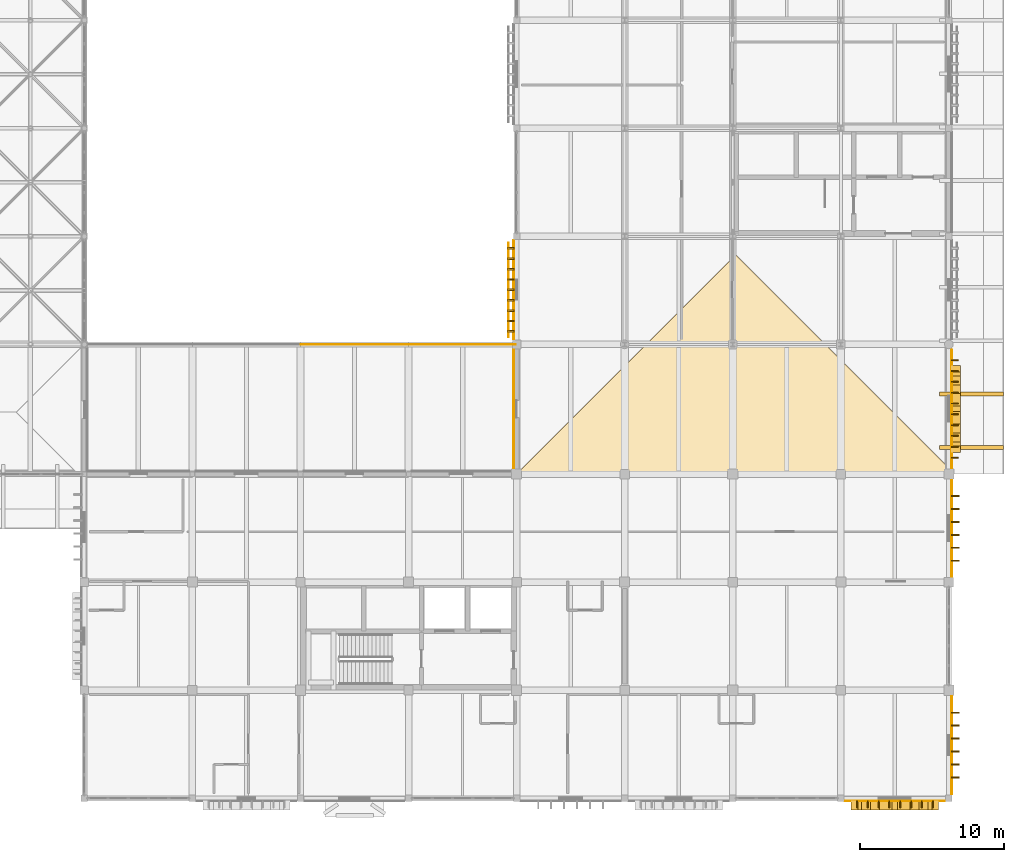
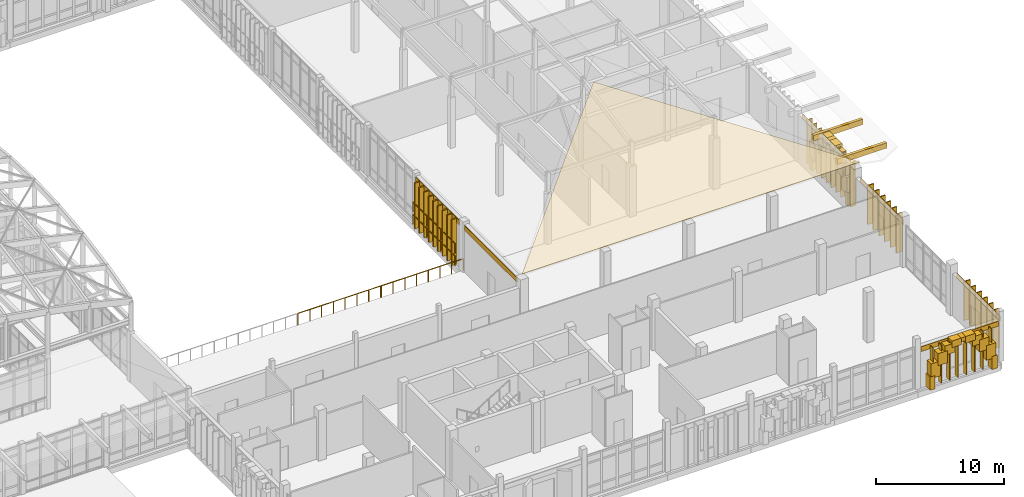
# One storey, part 128 of 131: 52 coverings, 18 shading devices, 4 railings.
"""IFC4 building model written with IfcOpenShell, lengths in metres."""

from ifc_helpers import new_model, si_unit, direction, frame, origin, origin_2d, place, context, subcontext, project, spatial, polyline, rectangle, circle, outline, extrude, material, layer, layer_set, type_object, element, save


model = new_model("IFC4")

# Units and contexts
model_context = context("Model", 3, precision=1e-05, world=origin(), true_north=direction((0.0, 1.0)))
body_context = subcontext(model_context, "Body", "Model", "MODEL_VIEW")
ifc_project = project(units=[si_unit("LENGTHUNIT", "METRE"), si_unit("AREAUNIT", "SQUARE_METRE"), si_unit("VOLUMEUNIT", "CUBIC_METRE"), si_unit("PLANEANGLEUNIT", "RADIAN"), si_unit("MASSUNIT", "GRAM", prefix="KILO")], contexts=[model_context])

# Site, building, storey
site_placement = place(None, origin())
site = spatial("IfcSite", under=ifc_project, at=site_placement, CompositionType="ELEMENT")
building_placement = place(site_placement, origin())
building = spatial("IfcBuilding", under=site, at=building_placement, Name="Dalvernix Boulevard General Hospital", CompositionType="ELEMENT")
storey_placement = place(building_placement, frame((0.0, 0.0, 9.300048828125)))
storey = spatial("IfcBuildingStorey", under=building, at=storey_placement, Name="L02", CompositionType="ELEMENT", Elevation=9.300048828125)

# Coverings
ifc_material_1 = material(Name="Pressed Catalan clay brick and dressed limestone parabolic archivolt", Category="masonry")
ifc_layer_1 = layer(ifc_material_1, 0.419921875)
ifc_layer_set_1 = layer_set([ifc_layer_1], Name="Pressed Catalan clay brick and dressed limestone parabolic archivolt (COV-ARC-01)")
covering_type_1 = type_object("IfcCoveringType", Name="COV-ARC-01", PredefinedType="CLADDING", material=ifc_layer_set_1)
for number, where, z_axis, x_axis, name in (
    (1, (171.550048828125, -0.485107421875, 0.0), (0.0, 0.0, 1.0), (-1.0, 0.0, 0.0), "L02 Catalan parabolic arch impost pier S 22-0-L"),
    (2, (165.949951171875, -0.485107421875, 0.0), (0.0, 0.0, 1.0), (-1.0, 0.0, 0.0), "L02 Catalan parabolic arch impost pier S 22-0-R"),
):
    element("IfcCovering", number, at=place(storey_placement, frame(where, z_axis=z_axis, x_axis=x_axis)), inside=storey, type_object=covering_type_1, Name=name, PredefinedType="CLADDING", context=body_context, shape_type="SweptSolid", body=[
        extrude(rectangle(XDim=0.4599609375, YDim=0.659912109375, at=origin_2d()), origin(), (0.0, 0.0, 1.0), 1.25),
    ])
covering_1_placement = place(storey_placement, frame((171.239013671875, -0.485107421875, 1.059814453125), z_axis=(0.0, 0.0, 1.0), x_axis=(-1.0, 0.0, 0.0)))
element("IfcCovering", 3, at=covering_1_placement, inside=storey, type_object=covering_type_1, Name="L02 Catalan parabolic archivolt voussoir S 22-0-1", PredefinedType="CLADDING", context=body_context, shape_type="SweptSolid", body=[
    extrude(rectangle(XDim=0.8623046875, YDim=0.659912109375, at=origin_2d()), origin(), (0.0, 0.0, 1.0), 1.3994140625),
])
covering_2_placement = place(storey_placement, frame((170.61669921875, -0.485107421875, 2.0791015625), z_axis=(0.0, 0.0, 1.0), x_axis=(-1.0, 0.0, 0.0)))
element("IfcCovering", 4, at=covering_2_placement, inside=storey, type_object=covering_type_1, Name="L02 Catalan parabolic archivolt voussoir S 22-0-2", PredefinedType="CLADDING", context=body_context, shape_type="SweptSolid", body=[
    extrude(rectangle(XDim=0.8623046875, YDim=0.659912109375, at=origin_2d()), origin(), (0.0, 0.0, 1.0), 1.144287109375),
])
covering_3_placement = place(storey_placement, frame((169.994384765625, -0.485107421875, 2.843505859375), z_axis=(0.0, 0.0, 1.0), x_axis=(-1.0, 0.0, 0.0)))
element("IfcCovering", 5, at=covering_3_placement, inside=storey, type_object=covering_type_1, Name="L02 Catalan parabolic archivolt voussoir S 22-0-3", PredefinedType="CLADDING", context=body_context, shape_type="SweptSolid", body=[
    extrude(rectangle(XDim=0.8623046875, YDim=0.659912109375, at=origin_2d()), origin(), (0.0, 0.0, 1.0), 0.8896484375),
])
covering_4_placement = place(storey_placement, frame((169.372314453125, -0.485107421875, 3.353271484375), z_axis=(0.0, 0.0, 1.0), x_axis=(-1.0, 0.0, 0.0)))
element("IfcCovering", 6, at=covering_4_placement, inside=storey, type_object=covering_type_1, Name="L02 Catalan parabolic archivolt voussoir S 22-0-4", PredefinedType="CLADDING", context=body_context, shape_type="SweptSolid", body=[
    extrude(rectangle(XDim=0.8623046875, YDim=0.659912109375, at=origin_2d()), origin(), (0.0, 0.0, 1.0), 0.634765625),
])
covering_5_placement = place(storey_placement, frame((168.75, -0.485107421875, 3.608154296875), z_axis=(0.0, 0.0, 1.0), x_axis=(-1.0, 0.0, 0.0)))
element("IfcCovering", 7, at=covering_5_placement, inside=storey, type_object=covering_type_1, Name="L02 Catalan parabolic archivolt voussoir S 22-0-5", PredefinedType="CLADDING", context=body_context, shape_type="SweptSolid", body=[
    extrude(rectangle(XDim=0.8623046875, YDim=0.659912109375, at=origin_2d()), origin(), (0.0, 0.0, 1.0), 0.3798828125),
])
covering_6_placement = place(storey_placement, frame((168.127685546875, -0.485107421875, 3.353271484375), z_axis=(0.0, 0.0, 1.0), x_axis=(-1.0, 0.0, 0.0)))
element("IfcCovering", 8, at=covering_6_placement, inside=storey, type_object=covering_type_1, Name="L02 Catalan parabolic archivolt voussoir S 22-0-6", PredefinedType="CLADDING", context=body_context, shape_type="SweptSolid", body=[
    extrude(rectangle(XDim=0.8623046875, YDim=0.659912109375, at=origin_2d()), origin(), (0.0, 0.0, 1.0), 0.634765625),
])
covering_7_placement = place(storey_placement, frame((167.505615234375, -0.485107421875, 2.843505859375), z_axis=(0.0, 0.0, 1.0), x_axis=(-1.0, 0.0, 0.0)))
element("IfcCovering", 9, at=covering_7_placement, inside=storey, type_object=covering_type_1, Name="L02 Catalan parabolic archivolt voussoir S 22-0-7", PredefinedType="CLADDING", context=body_context, shape_type="SweptSolid", body=[
    extrude(rectangle(XDim=0.8623046875, YDim=0.659912109375, at=origin_2d()), origin(), (0.0, 0.0, 1.0), 0.8896484375),
])
covering_8_placement = place(storey_placement, frame((166.88330078125, -0.485107421875, 2.0791015625), z_axis=(0.0, 0.0, 1.0), x_axis=(-1.0, 0.0, 0.0)))
element("IfcCovering", 10, at=covering_8_placement, inside=storey, type_object=covering_type_1, Name="L02 Catalan parabolic archivolt voussoir S 22-0-8", PredefinedType="CLADDING", context=body_context, shape_type="SweptSolid", body=[
    extrude(rectangle(XDim=0.8623046875, YDim=0.659912109375, at=origin_2d()), origin(), (0.0, 0.0, 1.0), 1.144287109375),
])
covering_9_placement = place(storey_placement, frame((166.260986328125, -0.485107421875, 1.059814453125), z_axis=(0.0, 0.0, 1.0), x_axis=(-1.0, 0.0, 0.0)))
element("IfcCovering", 11, at=covering_9_placement, inside=storey, type_object=covering_type_1, Name="L02 Catalan parabolic archivolt voussoir S 22-0-9", PredefinedType="CLADDING", context=body_context, shape_type="SweptSolid", body=[
    extrude(rectangle(XDim=0.8623046875, YDim=0.659912109375, at=origin_2d()), origin(), (0.0, 0.0, 1.0), 1.3994140625),
])
for number, where, z_axis, x_axis, name in (
    (12, (172.985107421875, 29.824951171875, 0.0), (0.0, 0.0, 1.0), (0.0, -1.0, 0.0), "L02 Catalan parabolic arch impost pier E 23-3-L"),
    (13, (172.985107421875, 24.22509765625, 0.0), (0.0, 0.0, 1.0), (0.0, -1.0, 0.0), "L02 Catalan parabolic arch impost pier E 23-3-R"),
):
    element("IfcCovering", number, at=place(storey_placement, frame(where, z_axis=z_axis, x_axis=x_axis)), inside=storey, type_object=covering_type_1, Name=name, PredefinedType="CLADDING", context=body_context, shape_type="SweptSolid", body=[
        extrude(rectangle(XDim=0.4599609375, YDim=0.659912109375, at=origin_2d()), origin(), (0.0, 0.0, 1.0), 1.25),
    ])
covering_10_placement = place(storey_placement, frame((172.985107421875, 29.513916015625, 1.059814453125), z_axis=(0.0, 0.0, 1.0), x_axis=(0.0, -1.0, 0.0)))
element("IfcCovering", 14, at=covering_10_placement, inside=storey, type_object=covering_type_1, Name="L02 Catalan parabolic archivolt voussoir E 23-3-1", PredefinedType="CLADDING", context=body_context, shape_type="SweptSolid", body=[
    extrude(rectangle(XDim=0.8623046875, YDim=0.659912109375, at=origin_2d()), origin(), (0.0, 0.0, 1.0), 1.63623046875),
])
covering_11_placement = place(storey_placement, frame((172.985107421875, 28.8916015625, 2.316162109375), z_axis=(0.0, 0.0, 1.0), x_axis=(0.0, -1.0, 0.0)))
element("IfcCovering", 15, at=covering_11_placement, inside=storey, type_object=covering_type_1, Name="L02 Catalan parabolic archivolt voussoir E 23-3-2", PredefinedType="CLADDING", context=body_context, shape_type="SweptSolid", body=[
    extrude(rectangle(XDim=0.8623046875, YDim=0.659912109375, at=origin_2d()), origin(), (0.0, 0.0, 1.0), 1.322265625),
])
covering_12_placement = place(storey_placement, frame((172.985107421875, 28.269287109375, 3.25830078125), z_axis=(0.0, 0.0, 1.0), x_axis=(0.0, -1.0, 0.0)))
element("IfcCovering", 16, at=covering_12_placement, inside=storey, type_object=covering_type_1, Name="L02 Catalan parabolic archivolt voussoir E 23-3-3", PredefinedType="CLADDING", context=body_context, shape_type="SweptSolid", body=[
    extrude(rectangle(XDim=0.8623046875, YDim=0.659912109375, at=origin_2d()), origin(), (0.0, 0.0, 1.0), 1.008056640625),
])
covering_13_placement = place(storey_placement, frame((172.985107421875, 27.647216796875, 3.88671875), z_axis=(0.0, 0.0, 1.0), x_axis=(0.0, -1.0, 0.0)))
element("IfcCovering", 17, at=covering_13_placement, inside=storey, type_object=covering_type_1, Name="L02 Catalan parabolic archivolt voussoir E 23-3-4", PredefinedType="CLADDING", context=body_context, shape_type="SweptSolid", body=[
    extrude(rectangle(XDim=0.8623046875, YDim=0.659912109375, at=origin_2d()), origin(), (0.0, 0.0, 1.0), 0.694091796875),
])
covering_14_placement = place(storey_placement, frame((172.985107421875, 27.02490234375, 4.20068359375), z_axis=(0.0, 0.0, 1.0), x_axis=(0.0, -1.0, 0.0)))
element("IfcCovering", 18, at=covering_14_placement, inside=storey, type_object=covering_type_1, Name="L02 Catalan parabolic archivolt voussoir E 23-3-5", PredefinedType="CLADDING", context=body_context, shape_type="SweptSolid", body=[
    extrude(rectangle(XDim=0.8623046875, YDim=0.659912109375, at=origin_2d()), origin(), (0.0, 0.0, 1.0), 0.3798828125),
])
covering_15_placement = place(storey_placement, frame((172.985107421875, 26.40283203125, 3.88671875), z_axis=(0.0, 0.0, 1.0), x_axis=(0.0, -1.0, 0.0)))
element("IfcCovering", 19, at=covering_15_placement, inside=storey, type_object=covering_type_1, Name="L02 Catalan parabolic archivolt voussoir E 23-3-6", PredefinedType="CLADDING", context=body_context, shape_type="SweptSolid", body=[
    extrude(rectangle(XDim=0.8623046875, YDim=0.659912109375, at=origin_2d()), origin(), (0.0, 0.0, 1.0), 0.694091796875),
])
covering_16_placement = place(storey_placement, frame((172.985107421875, 25.780517578125, 3.25830078125), z_axis=(0.0, 0.0, 1.0), x_axis=(0.0, -1.0, 0.0)))
element("IfcCovering", 20, at=covering_16_placement, inside=storey, type_object=covering_type_1, Name="L02 Catalan parabolic archivolt voussoir E 23-3-7", PredefinedType="CLADDING", context=body_context, shape_type="SweptSolid", body=[
    extrude(rectangle(XDim=0.8623046875, YDim=0.659912109375, at=origin_2d()), origin(), (0.0, 0.0, 1.0), 1.008056640625),
])
covering_17_placement = place(storey_placement, frame((172.985107421875, 25.158203125, 2.316162109375), z_axis=(0.0, 0.0, 1.0), x_axis=(0.0, -1.0, 0.0)))
element("IfcCovering", 21, at=covering_17_placement, inside=storey, type_object=covering_type_1, Name="L02 Catalan parabolic archivolt voussoir E 23-3-8", PredefinedType="CLADDING", context=body_context, shape_type="SweptSolid", body=[
    extrude(rectangle(XDim=0.8623046875, YDim=0.659912109375, at=origin_2d()), origin(), (0.0, 0.0, 1.0), 1.322265625),
])
covering_18_placement = place(storey_placement, frame((172.985107421875, 24.5361328125, 1.059814453125), z_axis=(0.0, 0.0, 1.0), x_axis=(0.0, -1.0, 0.0)))
element("IfcCovering", 22, at=covering_18_placement, inside=storey, type_object=covering_type_1, Name="L02 Catalan parabolic archivolt voussoir E 23-3-9", PredefinedType="CLADDING", context=body_context, shape_type="SweptSolid", body=[
    extrude(rectangle(XDim=0.8623046875, YDim=0.659912109375, at=origin_2d()), origin(), (0.0, 0.0, 1.0), 1.63623046875),
])
ifc_material_2 = material(Name="Polychrome Catalan glazed ceramic spandrel tile panel")
ifc_layer_2 = layer(ifc_material_2, 0.044921875)
ifc_layer_set_2 = layer_set([ifc_layer_2], Name="Polychrome Catalan glazed ceramic spandrel tile panel (COV-CLD-01)")
covering_type_2 = type_object("IfcCoveringType", Name="COV-CLD-01", PredefinedType="CLADDING", material=ifc_layer_set_2)
covering_19_placement = place(storey_placement, frame((142.304931640625, 27.02490234375, 4.0751953125), z_axis=(0.0, 0.0, 1.0), x_axis=(0.0, 1.0, 0.0)))
element("IfcCovering", 23, at=covering_19_placement, inside=storey, type_object=covering_type_2, Name="L02 polychrome ceramic spandrel W 19-3", PredefinedType="CLADDING", context=body_context, shape_type="SweptSolid", body=[
    extrude(rectangle(XDim=8.22998046875, YDim=0.044921875, at=origin_2d()), origin(), (0.0, 0.0, 1.0), 0.449951171875),
])
covering_20_placement = place(storey_placement, frame((142.304931640625, 35.28759765625, 4.0751953125), z_axis=(0.0, 0.0, 1.0), x_axis=(0.0, 1.0, 0.0)))
element("IfcCovering", 24, at=covering_20_placement, inside=storey, type_object=covering_type_2, Name="L02 polychrome ceramic spandrel W 19-4", PredefinedType="CLADDING", context=body_context, shape_type="SweptSolid", body=[
    extrude(rectangle(XDim=6.85498046875, YDim=0.044921875, at=origin_2d()), origin(), (0.0, 0.0, 1.0), 0.449951171875),
])
covering_21_placement = place(storey_placement, frame((168.75, -0.195068359375, 3.47509765625), z_axis=(0.0, 0.0, 1.0), x_axis=(-1.0, 0.0, 0.0)))
element("IfcCovering", 25, at=covering_21_placement, inside=storey, type_object=covering_type_2, Name="L02 polychrome ceramic spandrel S 22-0", PredefinedType="CLADDING", context=body_context, shape_type="SweptSolid", body=[
    extrude(rectangle(XDim=6.929931640625, YDim=0.044921875, at=origin_2d()), origin(), (0.0, 0.0, 1.0), 0.449951171875),
])
covering_22_placement = place(storey_placement, frame((172.695068359375, 3.6875, 3.47509765625), z_axis=(0.0, 0.0, 1.0), x_axis=(0.0, -1.0, 0.0)))
element("IfcCovering", 26, at=covering_22_placement, inside=storey, type_object=covering_type_2, Name="L02 polychrome ceramic spandrel E 23-0", PredefinedType="CLADDING", context=body_context, shape_type="SweptSolid", body=[
    extrude(rectangle(XDim=6.804931640625, YDim=0.044921875, at=origin_2d()), origin(), (0.0, 0.0, 1.0), 0.449951171875),
])
covering_23_placement = place(storey_placement, frame((172.695068359375, 18.737548828125, 3.47509765625), z_axis=(0.0, 0.0, 1.0), x_axis=(0.0, -1.0, 0.0)))
element("IfcCovering", 27, at=covering_23_placement, inside=storey, type_object=covering_type_2, Name="L02 polychrome ceramic spandrel E 23-2", PredefinedType="CLADDING", context=body_context, shape_type="SweptSolid", body=[
    extrude(rectangle(XDim=6.705078125, YDim=0.044921875, at=origin_2d()), origin(), (0.0, 0.0, 1.0), 0.449951171875),
])
covering_24_placement = place(storey_placement, frame((172.695068359375, 27.02490234375, 4.0751953125), z_axis=(0.0, 0.0, 1.0), x_axis=(0.0, -1.0, 0.0)))
element("IfcCovering", 28, at=covering_24_placement, inside=storey, type_object=covering_type_2, Name="L02 polychrome ceramic spandrel E 23-3", PredefinedType="CLADDING", context=body_context, shape_type="SweptSolid", body=[
    extrude(rectangle(XDim=8.22998046875, YDim=0.044921875, at=origin_2d()), origin(), (0.0, 0.0, 1.0), 0.449951171875),
])
ifc_material_3 = material(Name="Terracotta-clad iroko timber brise-soleil sun-breaker fin", Category="masonry")
ifc_layer_3 = layer(ifc_material_3, 0.10009765625)
ifc_layer_set_3 = layer_set([ifc_layer_3], Name="Terracotta-clad iroko timber brise-soleil sun-breaker fin (COV-FIN-02)")
covering_type_3 = type_object("IfcCoveringType", Name="COV-FIN-02", PredefinedType="CLADDING", material=ifc_layer_set_3)
for number, where, z_axis, x_axis, name in (
    (29, (172.945068359375, 5.9375, 0.119873046875), (0.0, 0.0, 1.0), (0.0, -1.0, 0.0), "L02 terracotta brise-soleil fin E 23-0-1"),
    (30, (172.945068359375, 5.03759765625, 0.119873046875), (0.0, 0.0, 1.0), (0.0, -1.0, 0.0), "L02 terracotta brise-soleil fin E 23-0-2"),
    (31, (172.945068359375, 4.137451171875, 0.119873046875), (0.0, 0.0, 1.0), (0.0, -1.0, 0.0), "L02 terracotta brise-soleil fin E 23-0-3"),
    (32, (172.945068359375, 3.237548828125, 0.119873046875), (0.0, 0.0, 1.0), (0.0, -1.0, 0.0), "L02 terracotta brise-soleil fin E 23-0-4"),
    (33, (172.945068359375, 2.33740234375, 0.119873046875), (0.0, 0.0, 1.0), (0.0, -1.0, 0.0), "L02 terracotta brise-soleil fin E 23-0-5"),
    (34, (172.945068359375, 1.4375, 0.119873046875), (0.0, 0.0, 1.0), (0.0, -1.0, 0.0), "L02 terracotta brise-soleil fin E 23-0-6"),
    (35, (172.945068359375, 20.987548828125, 0.119873046875), (0.0, 0.0, 1.0), (0.0, -1.0, 0.0), "L02 terracotta brise-soleil fin E 23-2-1"),
    (36, (172.945068359375, 20.08740234375, 0.119873046875), (0.0, 0.0, 1.0), (0.0, -1.0, 0.0), "L02 terracotta brise-soleil fin E 23-2-2"),
    (37, (172.945068359375, 19.1875, 0.119873046875), (0.0, 0.0, 1.0), (0.0, -1.0, 0.0), "L02 terracotta brise-soleil fin E 23-2-3"),
    (38, (172.945068359375, 18.28759765625, 0.119873046875), (0.0, 0.0, 1.0), (0.0, -1.0, 0.0), "L02 terracotta brise-soleil fin E 23-2-4"),
    (39, (172.945068359375, 17.387451171875, 0.119873046875), (0.0, 0.0, 1.0), (0.0, -1.0, 0.0), "L02 terracotta brise-soleil fin E 23-2-5"),
    (40, (172.945068359375, 16.487548828125, 0.119873046875), (0.0, 0.0, 1.0), (0.0, -1.0, 0.0), "L02 terracotta brise-soleil fin E 23-2-6"),
):
    element("IfcCovering", number, at=place(storey_placement, frame(where, z_axis=z_axis, x_axis=x_axis)), inside=storey, type_object=covering_type_3, Name=name, PredefinedType="CLADDING", context=body_context, shape_type="SweptSolid", body=[
        extrude(rectangle(XDim=0.10009765625, YDim=0.580078125, at=origin_2d()), origin(), (0.0, 0.0, 1.0), 3.7099609375),
    ])
ifc_material_4 = material(Name="Preservative-treated glulam GL28h eave outlooker corbel bracket", Category="wood")
ifc_layer_4 = layer(ifc_material_4, 0.239990234375)
ifc_layer_set_4 = layer_set([ifc_layer_4], Name="Preservative-treated glulam GL28h eave outlooker corbel bracket (COV-OUTLOOK-01)")
covering_type_4 = type_object("IfcCoveringType", Name="COV-OUTLOOK-01", PredefinedType="CLADDING", material=ifc_layer_set_4)
for number, where, z_axis, x_axis, name in (
    (41, (174.074951171875, 24.352783203125, 4.139892578125), (0.0, 0.0, 1.0), (1.0, 0.0, 0.0), "V2 glulam eave outlooker corbel E-1"),
    (42, (174.074951171875, 28.058837890625, 4.139892578125), (0.0, 0.0, 1.0), (1.0, 0.0, 0.0), "V2 glulam eave outlooker corbel E-2"),
):
    element("IfcCovering", number, at=place(storey_placement, frame(where, z_axis=z_axis, x_axis=x_axis)), inside=storey, type_object=covering_type_4, Name=name, PredefinedType="CLADDING", context=body_context, shape_type="SweptSolid", body=[
        extrude(rectangle(XDim=4.449951171875, YDim=0.260009765625, at=origin_2d()), origin(), (0.0, 0.0, 1.0), 0.52001953125),
    ])
ifc_material_5 = material(Name="Polychrome Catalan glazed terracotta roof tiles", Category="masonry")
ifc_layer_5 = layer(ifc_material_5, 0.050048828125)
ifc_layer_set_5 = layer_set([ifc_layer_5], Name="Polychrome Catalan glazed terracotta roof tiles (COV-ROOF-01)")
covering_type_5 = type_object("IfcCoveringType", Name="COV-ROOF-01", PredefinedType="ROOFING", material=ifc_layer_set_5)
covering_25_placement = place(storey_placement, frame((142.5, 22.5, 5.070068359375), z_axis=(0.0, -0.238529380826, 0.971135281247), x_axis=(1.0, 0.0, 0.0)))
element("IfcCovering", 43, at=covering_25_placement, inside=storey, type_object=covering_type_5, Name="V2 glazed terracotta tile slope S", PredefinedType="ROOFING", context=body_context, shape_type="SweptSolid", body=[
    extrude(outline(polyline([(0.0, 0.0), (30.39990234375, 0.0), (15.199951171875, 15.651734073913714), (0.0, 0.0)])), origin(), (0.0, 0.0, -1.0), 0.050048828125),
])
ifc_material_6 = material(Name="Preservative-treated West African iroko timber lattice screen", Category="wood")
ifc_layer_6 = layer(ifc_material_6, 0.1201171875)
ifc_layer_set_6 = layer_set([ifc_layer_6], Name="Preservative-treated West African iroko timber lattice screen (COV-TSCR-01)")
covering_type_6 = type_object("IfcCoveringType", Name="COV-TSCR-01", PredefinedType="CLADDING", material=ifc_layer_set_6)
for number, where, z_axis, x_axis, name in (
    (44, (142.10498046875, 32.407470703125, 0.099853515625), (0.0, 0.0, 1.0), (0.0, 1.0, 0.0), "L02 upper-ward timber screen blade W 19-4-1"),
    (45, (142.10498046875, 33.12744140625, 0.099853515625), (0.0, 0.0, 1.0), (0.0, 1.0, 0.0), "L02 upper-ward timber screen blade W 19-4-2"),
    (46, (142.10498046875, 33.847412109375, 0.099853515625), (0.0, 0.0, 1.0), (0.0, 1.0, 0.0), "L02 upper-ward timber screen blade W 19-4-3"),
    (47, (142.10498046875, 34.5673828125, 0.099853515625), (0.0, 0.0, 1.0), (0.0, 1.0, 0.0), "L02 upper-ward timber screen blade W 19-4-4"),
    (48, (142.10498046875, 35.28759765625, 0.099853515625), (0.0, 0.0, 1.0), (0.0, 1.0, 0.0), "L02 upper-ward timber screen blade W 19-4-5"),
    (49, (142.10498046875, 36.007568359375, 0.099853515625), (0.0, 0.0, 1.0), (0.0, 1.0, 0.0), "L02 upper-ward timber screen blade W 19-4-6"),
    (50, (142.10498046875, 36.7275390625, 0.099853515625), (0.0, 0.0, 1.0), (0.0, 1.0, 0.0), "L02 upper-ward timber screen blade W 19-4-7"),
    (51, (142.10498046875, 37.447509765625, 0.099853515625), (0.0, 0.0, 1.0), (0.0, 1.0, 0.0), "L02 upper-ward timber screen blade W 19-4-8"),
    (52, (142.10498046875, 38.16748046875, 0.099853515625), (0.0, 0.0, 1.0), (0.0, 1.0, 0.0), "L02 upper-ward timber screen blade W 19-4-9"),
):
    element("IfcCovering", number, at=place(storey_placement, frame(where, z_axis=z_axis, x_axis=x_axis)), inside=storey, type_object=covering_type_6, Name=name, PredefinedType="CLADDING", context=body_context, shape_type="SweptSolid", body=[
        extrude(rectangle(XDim=0.1298828125, YDim=0.47998046875, at=origin_2d()), origin(), (0.0, 0.0, 1.0), 4.35009765625),
    ])

# Railings
ifc_material_7 = material(Name="Powder-coated galvanized steel balustrade", Category="steel")
railing_type_1 = type_object("IfcRailingType", Name="RL-GR-EXT1", PredefinedType="BALUSTRADE", material=ifc_material_7)
railing_1_placement = place(storey_placement, frame((127.5400390625, 31.5, 0.0)))
element("IfcRailing", 53, at=railing_1_placement, inside=storey, type_object=railing_type_1, Name="L02 terrace safety balustrade 6", PredefinedType="BALUSTRADE", context=body_context, shape_type="SweptSolid", body=[
    extrude(circle(Radius=0.02392578125, at=origin_2d()), frame((0.0, 0.0, 1.09619140625), z_axis=(1.0, 0.0, 0.0), x_axis=(0.0, 1.0, 0.0)), (0.0, 0.0, 1.0), 7.419921875),
    extrude(circle(Radius=0.02099609375, at=origin_2d()), origin(), (0.0, 0.0, 1.0), 1.072021484375),
    extrude(circle(Radius=0.02099609375, at=origin_2d()), frame((1.06005859375, 0.0, 0.0)), (0.0, 0.0, 1.0), 1.072021484375),
    extrude(circle(Radius=0.02099609375, at=origin_2d()), frame((2.119873046875, 0.0, 0.0)), (0.0, 0.0, 1.0), 1.072021484375),
    extrude(circle(Radius=0.02099609375, at=origin_2d()), frame((3.179931640625, 0.0, 0.0)), (0.0, 0.0, 1.0), 1.072021484375),
    extrude(circle(Radius=0.02099609375, at=origin_2d()), frame((4.239990234375, 0.0, 0.0)), (0.0, 0.0, 1.0), 1.072021484375),
    extrude(circle(Radius=0.02099609375, at=origin_2d()), frame((5.300048828125, 0.0, 0.0)), (0.0, 0.0, 1.0), 1.072021484375),
    extrude(circle(Radius=0.02099609375, at=origin_2d()), frame((6.35986328125, 0.0, 0.0)), (0.0, 0.0, 1.0), 1.072021484375),
    extrude(circle(Radius=0.02099609375, at=origin_2d()), frame((7.419921875, 0.0, 0.0)), (0.0, 0.0, 1.0), 1.072021484375),
])
railing_2_placement = place(storey_placement, frame((135.0400390625, 31.5, 0.0)))
element("IfcRailing", 54, at=railing_2_placement, inside=storey, type_object=railing_type_1, Name="L02 terrace safety balustrade 7", PredefinedType="BALUSTRADE", context=body_context, shape_type="SweptSolid", body=[
    extrude(circle(Radius=0.02392578125, at=origin_2d()), frame((0.0, 0.0, 1.09619140625), z_axis=(1.0, 0.0, 0.0), x_axis=(0.0, 1.0, 0.0)), (0.0, 0.0, 1.0), 7.369873046875),
    extrude(circle(Radius=0.02099609375, at=origin_2d()), origin(), (0.0, 0.0, 1.0), 1.072021484375),
    extrude(circle(Radius=0.02099609375, at=origin_2d()), frame((1.052734375, 0.0, 0.0)), (0.0, 0.0, 1.0), 1.072021484375),
    extrude(circle(Radius=0.02099609375, at=origin_2d()), frame((2.105712890625, 0.0, 0.0)), (0.0, 0.0, 1.0), 1.072021484375),
    extrude(circle(Radius=0.02099609375, at=origin_2d()), frame((3.158447265625, 0.0, 0.0)), (0.0, 0.0, 1.0), 1.072021484375),
    extrude(circle(Radius=0.02099609375, at=origin_2d()), frame((4.21142578125, 0.0, 0.0)), (0.0, 0.0, 1.0), 1.072021484375),
    extrude(circle(Radius=0.02099609375, at=origin_2d()), frame((5.26416015625, 0.0, 0.0)), (0.0, 0.0, 1.0), 1.072021484375),
    extrude(circle(Radius=0.02099609375, at=origin_2d()), frame((6.317138671875, 0.0, 0.0)), (0.0, 0.0, 1.0), 1.072021484375),
    extrude(circle(Radius=0.02099609375, at=origin_2d()), frame((7.369873046875, 0.0, 0.0)), (0.0, 0.0, 1.0), 1.072021484375),
])
ifc_material_8 = material(Name="Preservative-treated iroko timber horizontal screen louver rail", Category="wood")
railing_type_2 = type_object("IfcRailingType", Name="RL-TSCR-01", PredefinedType="BALUSTRADE", material=ifc_material_8)
for number, where, name in (
    (55, (141.945068359375, 32.030029296875, 0.25), "L02 upper-ward horizontal timber screen louver W 19-4-1"),
    (56, (141.945068359375, 32.030029296875, 1.449951171875), "L02 upper-ward horizontal timber screen louver W 19-4-2"),
):
    element("IfcRailing", number, at=place(storey_placement, frame(where)), inside=storey, type_object=railing_type_2, Name=name, PredefinedType="BALUSTRADE", context=body_context, shape_type="SweptSolid", body=[
        extrude(circle(Radius=0.02392578125, at=origin_2d()), frame((0.0, 0.0, 0.92578125), z_axis=(0.0, 1.0, 0.0), x_axis=(-1.0, 0.0, 0.0)), (0.0, 0.0, 1.0), 6.514892578125),
        extrude(circle(Radius=0.02099609375, at=origin_2d()), origin(), (0.0, 0.0, 1.0), 0.90185546875),
        extrude(circle(Radius=0.02099609375, at=origin_2d()), frame((0.0, 1.0859375, 0.0)), (0.0, 0.0, 1.0), 0.90185546875),
        extrude(circle(Radius=0.02099609375, at=origin_2d()), frame((0.0, 2.171630859375, 0.0)), (0.0, 0.0, 1.0), 0.90185546875),
        extrude(circle(Radius=0.02099609375, at=origin_2d()), frame((0.0, 3.25732421875, 0.0)), (0.0, 0.0, 1.0), 0.90185546875),
        extrude(circle(Radius=0.02099609375, at=origin_2d()), frame((0.0, 4.34326171875, 0.0)), (0.0, 0.0, 1.0), 0.90185546875),
        extrude(circle(Radius=0.02099609375, at=origin_2d()), frame((0.0, 5.42919921875, 0.0)), (0.0, 0.0, 1.0), 0.90185546875),
        extrude(circle(Radius=0.02099609375, at=origin_2d()), frame((0.0, 6.514892578125, 0.0)), (0.0, 0.0, 1.0), 0.90185546875),
    ])

# Shading devices
ifc_material_9 = material(Name="Preservative-treated West African iroko timber", Category="wood")
shading_device_type = type_object("IfcShadingDeviceType", Name="SHD-FIN-01", PredefinedType="USERDEFINED", material=ifc_material_9)
for number, where, z_axis, x_axis, name in (
    (57, (171.375, -0.405029296875, 0.1748046875), (0.0, 0.0, 1.0), (-1.0, 0.0, 0.0), "L02 iroko brise-soleil fin 1"),
    (58, (170.625, -0.405029296875, 0.1748046875), (0.0, 0.0, 1.0), (-1.0, 0.0, 0.0), "L02 iroko brise-soleil fin 2"),
    (59, (169.875, -0.405029296875, 0.1748046875), (0.0, 0.0, 1.0), (-1.0, 0.0, 0.0), "L02 iroko brise-soleil fin 3"),
    (60, (169.125, -0.405029296875, 0.1748046875), (0.0, 0.0, 1.0), (-1.0, 0.0, 0.0), "L02 iroko brise-soleil fin 4"),
    (61, (168.375, -0.405029296875, 0.1748046875), (0.0, 0.0, 1.0), (-1.0, 0.0, 0.0), "L02 iroko brise-soleil fin 5"),
    (62, (167.625, -0.405029296875, 0.1748046875), (0.0, 0.0, 1.0), (-1.0, 0.0, 0.0), "L02 iroko brise-soleil fin 6"),
    (63, (166.875, -0.405029296875, 0.1748046875), (0.0, 0.0, 1.0), (-1.0, 0.0, 0.0), "L02 iroko brise-soleil fin 7"),
    (64, (166.125, -0.405029296875, 0.1748046875), (0.0, 0.0, 1.0), (-1.0, 0.0, 0.0), "L02 iroko brise-soleil fin 8"),
):
    element("IfcShadingDevice", number, at=place(storey_placement, frame(where, z_axis=z_axis, x_axis=x_axis)), inside=storey, type_object=shading_device_type, Name=name, ObjectType="FIN", PredefinedType="USERDEFINED", context=body_context, shape_type="SweptSolid", body=[
        extrude(rectangle(XDim=0.06494140625, YDim=0.47998046875, at=origin_2d()), origin(), (0.0, 0.0, 1.0), 3.60009765625),
    ])
for number, where, z_axis, x_axis, name in (
    (65, (172.905029296875, 30.39990234375, 0.1748046875), (0.0, 0.0, 1.0), (0.0, -1.0, 0.0), "L02 iroko brise-soleil fin 1"),
    (66, (172.905029296875, 29.64990234375, 0.1748046875), (0.0, 0.0, 1.0), (0.0, -1.0, 0.0), "L02 iroko brise-soleil fin 2"),
    (67, (172.905029296875, 28.89990234375, 0.1748046875), (0.0, 0.0, 1.0), (0.0, -1.0, 0.0), "L02 iroko brise-soleil fin 3"),
    (68, (172.905029296875, 28.14990234375, 0.1748046875), (0.0, 0.0, 1.0), (0.0, -1.0, 0.0), "L02 iroko brise-soleil fin 4"),
    (69, (172.905029296875, 27.39990234375, 0.1748046875), (0.0, 0.0, 1.0), (0.0, -1.0, 0.0), "L02 iroko brise-soleil fin 5"),
    (70, (172.905029296875, 26.64990234375, 0.1748046875), (0.0, 0.0, 1.0), (0.0, -1.0, 0.0), "L02 iroko brise-soleil fin 6"),
    (71, (172.905029296875, 25.89990234375, 0.1748046875), (0.0, 0.0, 1.0), (0.0, -1.0, 0.0), "L02 iroko brise-soleil fin 7"),
    (72, (172.905029296875, 25.14990234375, 0.1748046875), (0.0, 0.0, 1.0), (0.0, -1.0, 0.0), "L02 iroko brise-soleil fin 8"),
    (73, (172.905029296875, 24.39990234375, 0.1748046875), (0.0, 0.0, 1.0), (0.0, -1.0, 0.0), "L02 iroko brise-soleil fin 9"),
    (74, (172.905029296875, 23.64990234375, 0.1748046875), (0.0, 0.0, 1.0), (0.0, -1.0, 0.0), "L02 iroko brise-soleil fin 10"),
):
    element("IfcShadingDevice", number, at=place(storey_placement, frame(where, z_axis=z_axis, x_axis=x_axis)), inside=storey, type_object=shading_device_type, Name=name, ObjectType="FIN", PredefinedType="USERDEFINED", context=body_context, shape_type="SweptSolid", body=[
        extrude(rectangle(XDim=0.06494140625, YDim=0.47998046875, at=origin_2d()), origin(), (0.0, 0.0, 1.0), 4.199951171875),
    ])

save(model, "model.ifc")
